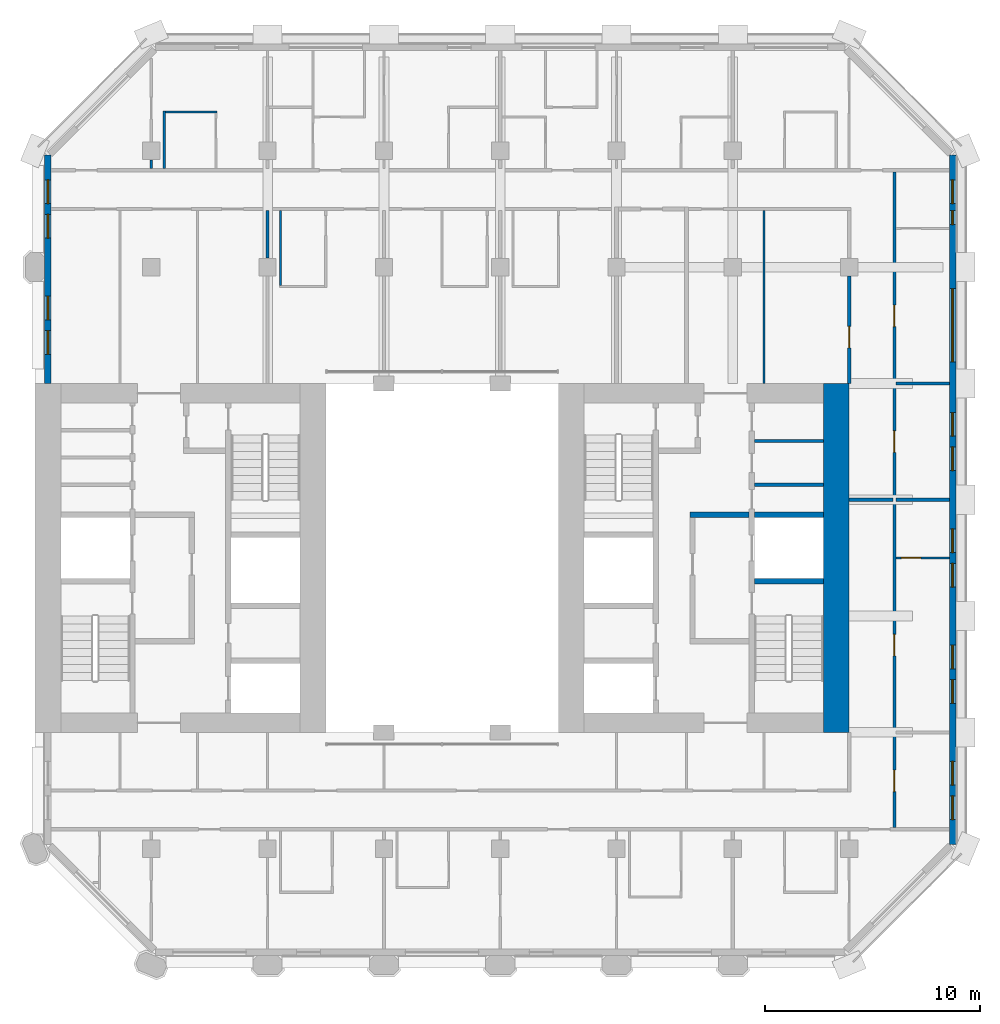
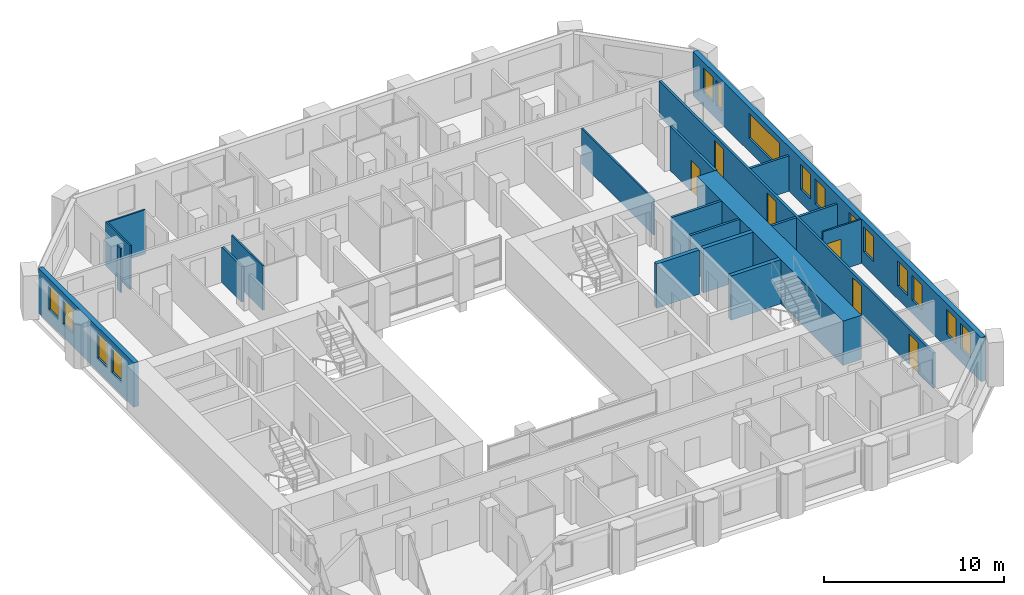
# One storey, part 7 of 13: 20 walls, 15 windows, 6 doors, 21 openings.
"""IFC4 building model written with IfcOpenShell, lengths in metres."""

from ifc_helpers import new_model, si_unit, direction, frame, frame_2d, origin, place, context, subcontext, project, spatial, rectangle, extrude, material, layer, layer_set, type_object, element, fill, save


model = new_model("IFC4")

# Units and contexts
model_context = context("Model", 3, precision=1e-05, world=origin(), true_north=direction((0.0, 1.0)))
body_context = subcontext(model_context, "Body", "Model", "MODEL_VIEW")
ifc_project = project(units=[si_unit("LENGTHUNIT", "METRE"), si_unit("AREAUNIT", "SQUARE_METRE"), si_unit("VOLUMEUNIT", "CUBIC_METRE"), si_unit("PLANEANGLEUNIT", "RADIAN"), si_unit("MASSUNIT", "GRAM", prefix="KILO")], contexts=[model_context])

# Site, building, storey
site_placement = place(None, origin())
site = spatial("IfcSite", under=ifc_project, at=site_placement, CompositionType="ELEMENT")
building_placement = place(site_placement, origin())
building = spatial("IfcBuilding", under=site, at=building_placement, Name="Tabaq Tower and Sports Hall", CompositionType="ELEMENT")
storey_placement = place(building_placement, frame((0.0, 0.0, 200.5)))
storey = spatial("IfcBuildingStorey", under=building, at=storey_placement, Name="L49", CompositionType="ELEMENT", Elevation=200.5)

# Walls
ifc_material_1 = material(Name="Blockwork", Category="masonry")
ifc_layer_1 = layer(ifc_material_1, 0.14990234375)
ifc_layer_set_1 = layer_set([ifc_layer_1], Name="Core room partition 150 Blockwork")
wall_type_1 = type_object("IfcWallType", Name="Core room partition 150 Blockwork", PredefinedType="PARTITIONING", material=ifc_layer_set_1)
for number, where, z_axis, x_axis, name in (
    (1, (38.800048828125, 27.694091796875, 0.0), (0.0, 0.0, 1.0), (1.0, 0.0, 0.0), "Core room partition E L49"),
    (2, (38.800048828125, 29.72412109375, 0.0), (0.0, 0.0, 1.0), (1.0, 0.0, 0.0), "Core room partition E L49"),
):
    element("IfcWall", number, at=place(storey_placement, frame(where, z_axis=z_axis, x_axis=x_axis)), inside=storey, type_object=wall_type_1, Name=name, PredefinedType="PARTITIONING", context=body_context, shape_type="SweptSolid", body=[
        extrude(rectangle(XDim=3.199951171875, YDim=0.14990234375, at=frame_2d((1.60009765625, 0.0))), origin(), (0.0, 0.0, 1.0), 3.0),
    ])
ifc_material_2 = material(Name="Concrete C50/60", Category="concrete")
ifc_layer_2 = layer(ifc_material_2, 1.199951171875)
ifc_layer_set_2 = layer_set([ifc_layer_2], Name="Core wall 1200 Concrete C50/60")
wall_type_2 = type_object("IfcWallType", Name="Core wall 1200 Concrete C50/60", PredefinedType="SOLIDWALL", material=ifc_layer_set_2)
wall_1_placement = place(storey_placement, frame((42.60009765625, 32.39990234375, 0.0), z_axis=(0.0, 0.0, 1.0), x_axis=(0.0, -1.0, 0.0)))
element("IfcWall", 3, at=wall_1_placement, inside=storey, type_object=wall_type_2, Name="Core wall E L49", PredefinedType="SOLIDWALL", context=body_context, shape_type="SweptSolid", body=[
    extrude(rectangle(XDim=16.199951171875, YDim=1.199951171875, at=frame_2d((8.10009765625, 0.0))), origin(), (0.0, 0.0, 1.0), 3.0),
])
ifc_material_3 = material(Name="Gypsum board on steel studs", Category="steel")
ifc_layer_3 = layer(ifc_material_3, 0.10009765625)
ifc_layer_set_3 = layer_set([ifc_layer_3], Name="Partition 100 Gypsum board")
wall_type_3 = type_object("IfcWallType", Name="Partition 100 Gypsum board", PredefinedType="PARTITIONING", material=ifc_layer_set_3)
wall_2_placement = place(storey_placement, frame((16.800048828125, 36.949951171875, 0.0), z_axis=(0.0, 0.0, 1.0), x_axis=(0.0, 1.0, 0.0)))
element("IfcWall", 4, at=wall_2_placement, inside=storey, type_object=wall_type_3, Name="Partition wall L49", PredefinedType="PARTITIONING", context=body_context, shape_type="SweptSolid", body=[
    extrude(rectangle(XDim=3.47509765625, YDim=0.10009765625, at=frame_2d((1.737548828125, 0.0))), origin(), (0.0, 0.0, 1.0), 3.0),
])
wall_3_placement = place(storey_placement, frame((10.800048828125, 42.780029296875, 0.0), z_axis=(0.0, 0.0, 1.0), x_axis=(0.0, -1.0, 0.0)))
element("IfcWall", 5, at=wall_3_placement, inside=storey, type_object=wall_type_3, Name="Partition wall L49", PredefinedType="PARTITIONING", context=body_context, shape_type="SweptSolid", body=[
    extrude(rectangle(XDim=0.405029296875, YDim=0.10009765625, at=frame_2d((0.20263671875, 0.0))), origin(), (0.0, 0.0, 1.0), 3.0),
])
wall_4_placement = place(storey_placement, frame((11.39990234375, 42.375, 0.0), z_axis=(0.0, 0.0, 1.0), x_axis=(0.0, 1.0, 0.0)))
element("IfcWall", 6, at=wall_4_placement, inside=storey, type_object=wall_type_3, Name="Partition wall L49", PredefinedType="PARTITIONING", context=body_context, shape_type="SweptSolid", body=[
    extrude(rectangle(XDim=2.675048828125, YDim=0.10009765625, at=frame_2d((1.33740234375, 0.0))), origin(), (0.0, 0.0, 1.0), 3.0),
])
wall_5_placement = place(storey_placement, frame((11.449951171875, 45.0, 0.0), z_axis=(0.0, 0.0, 1.0), x_axis=(1.0, 0.0, 0.0)))
element("IfcWall", 7, at=wall_5_placement, inside=storey, type_object=wall_type_3, Name="Partition wall L49", PredefinedType="PARTITIONING", context=body_context, shape_type="SweptSolid", body=[
    extrude(rectangle(XDim=2.400146484375, YDim=0.10009765625, at=frame_2d((1.2001953125, 0.0))), origin(), (0.0, 0.0, 1.0), 3.0),
])
wall_6_placement = place(storey_placement, frame((39.25, 32.39990234375, 0.0), z_axis=(0.0, 0.0, 1.0), x_axis=(0.0, 1.0, 0.0)))
element("IfcWall", 8, at=wall_6_placement, inside=storey, type_object=wall_type_3, Name="Partition wall L49", PredefinedType="PARTITIONING", context=body_context, shape_type="SweptSolid", body=[
    extrude(rectangle(XDim=8.025146484375, YDim=0.10009765625, at=frame_2d((4.0126953125, 0.0))), origin(), (0.0, 0.0, 1.0), 2.39990234375),
])

# Wall, opening, door
wall_7_placement = place(storey_placement, frame((47.84912109375, 24.300048828125, 0.0), z_axis=(0.0, 0.0, 1.0), x_axis=(-1.0, 0.0, 0.0)))
wall_7 = element("IfcWall", 9, at=wall_7_placement, inside=storey, type_object=wall_type_3, Name="Partition wall L49", PredefinedType="PARTITIONING", context=body_context, shape_type="SweptSolid", body=[
    extrude(rectangle(XDim=2.47412109375, YDim=0.10009765625, at=frame_2d((1.237060546875, 0.0))), origin(), (0.0, 0.0, 1.0), 3.0),
])
opening_1_placement = place(wall_7_placement, frame((1.323974609375, 0.0, 0.0)))
opening_1 = element("IfcOpeningElement", 10, at=opening_1_placement, cuts=wall_7, Name="Opening L49-026", PredefinedType="OPENING", context=body_context, shape_type="SweptSolid", body=[
    extrude(rectangle(XDim=0.89990234375, YDim=2.10009765625, at=frame_2d((0.449951171875, 1.050048828125))), frame((0.0, 0.050048828125, 0.0), z_axis=(0.0, -1.0, 0.0), x_axis=(1.0, 0.0, 0.0)), (0.0, 0.0, 1.0), 0.10009765625),
])
ifc_material_4 = material(Name="Timber leaf in steel frame", Category="steel")
door_type_1 = type_object("IfcDoorType", Name="Internal door 900 left hand", OperationType="SINGLE_SWING_LEFT", PredefinedType="DOOR", material=ifc_material_4)
door_1_placement = place(opening_1_placement, origin())
door_1 = element("IfcDoor", 11, at=door_1_placement, inside=storey, type_object=door_type_1, Name="Internal door L49-026", OperationType="SINGLE_SWING_LEFT", OverallHeight=2.10009765625, OverallWidth=0.89990234375, PredefinedType="DOOR", context=body_context, shape_type="SweptSolid", body=[
    extrude(rectangle(XDim=0.89990234375, YDim=2.10009765625, at=frame_2d((0.449951171875, 1.050048828125))), frame((0.0, 0.02490234375, 0.0), z_axis=(0.0, -1.0, 0.0), x_axis=(1.0, 0.0, 0.0)), (0.0, 0.0, 1.0), 0.050048828125),
])
fill(opening_1, door_1)

# Walls
ifc_material_5 = material(Name="Blockwork", Category="masonry")
ifc_layer_4 = layer(ifc_material_5, 0.14990234375)
ifc_layer_set_4 = layer_set([ifc_layer_4], Name="Separating wall 150 Blockwork")
wall_type_4 = type_object("IfcWallType", Name="Separating wall 150 Blockwork", PredefinedType="PARTITIONING", material=ifc_layer_set_4)
wall_8_placement = place(storey_placement, frame((16.199951171875, 40.425048828125, 0.0), z_axis=(0.0, 0.0, 1.0), x_axis=(0.0, -1.0, 0.0)))
element("IfcWall", 12, at=wall_8_placement, inside=storey, type_object=wall_type_4, Name="Separating wall L49", PredefinedType="PARTITIONING", context=body_context, shape_type="SweptSolid", body=[
    extrude(rectangle(XDim=2.205078125, YDim=0.14990234375, at=frame_2d((1.1025390625, 0.0))), origin(), (0.0, 0.0, 1.0), 2.39990234375),
])
for number, where, z_axis, x_axis, name in (
    (13, (45.375, 32.39990234375, 0.0), (0.0, 0.0, 1.0), (1.0, 0.0, 0.0), "Separating wall L49"),
    (14, (45.375, 27.0, 0.0), (0.0, 0.0, 1.0), (1.0, 0.0, 0.0), "Separating wall L49"),
):
    element("IfcWall", number, at=place(storey_placement, frame(where, z_axis=z_axis, x_axis=x_axis)), inside=storey, type_object=wall_type_4, Name=name, PredefinedType="PARTITIONING", context=body_context, shape_type="SweptSolid", body=[
        extrude(rectangle(XDim=2.47412109375, YDim=0.14990234375, at=frame_2d((1.237060546875, 0.0))), origin(), (0.0, 0.0, 1.0), 2.39990234375),
    ])
wall_9_placement = place(storey_placement, frame((43.199951171875, 27.0, 0.0), z_axis=(0.0, 0.0, 1.0), x_axis=(1.0, 0.0, 0.0)))
element("IfcWall", 15, at=wall_9_placement, inside=storey, type_object=wall_type_4, Name="Separating wall L49", PredefinedType="PARTITIONING", context=body_context, shape_type="SweptSolid", body=[
    extrude(rectangle(XDim=2.025146484375, YDim=0.14990234375, at=frame_2d((1.0126953125, 0.0))), origin(), (0.0, 0.0, 1.0), 2.39990234375),
])

# Wall, opening, door
wall_10_placement = place(storey_placement, frame((43.199951171875, 37.3798828125, 0.0), z_axis=(0.0, 0.0, 1.0), x_axis=(0.0, -1.0, 0.0)))
wall_10 = element("IfcWall", 16, at=wall_10_placement, inside=storey, type_object=wall_type_4, Name="Separating wall L49", PredefinedType="PARTITIONING", context=body_context, shape_type="SweptSolid", body=[
    extrude(rectangle(XDim=4.97998046875, YDim=0.14990234375, at=frame_2d((2.489990234375, 0.0))), origin(), (0.0, 0.0, 1.0), 3.0),
])
opening_2_placement = place(wall_10_placement, frame((2.325927734375, 0.0, 0.0)))
opening_2 = element("IfcOpeningElement", 17, at=opening_2_placement, cuts=wall_10, Name="Opening L49-016", PredefinedType="OPENING", context=body_context, shape_type="SweptSolid", body=[
    extrude(rectangle(XDim=1.0, YDim=2.10009765625, at=frame_2d((0.5, 1.050048828125))), frame((0.0, 0.074951171875, 0.0), z_axis=(0.0, -1.0, 0.0), x_axis=(1.0, 0.0, 0.0)), (0.0, 0.0, 1.0), 0.14990234375),
])
ifc_material_6 = material(Name="Timber leaf in steel frame", Category="steel")
door_type_2 = type_object("IfcDoorType", Name="Internal door 1000 right hand", OperationType="SINGLE_SWING_RIGHT", PredefinedType="DOOR", material=ifc_material_6)
door_2_placement = place(opening_2_placement, origin())
door_2 = element("IfcDoor", 18, at=door_2_placement, inside=storey, type_object=door_type_2, Name="Internal door L49-016", OperationType="SINGLE_SWING_RIGHT", OverallHeight=2.10009765625, OverallWidth=1.0, PredefinedType="DOOR", context=body_context, shape_type="SweptSolid", body=[
    extrude(rectangle(XDim=1.0, YDim=2.10009765625, at=frame_2d((0.5, 1.050048828125))), frame((0.0, 0.02490234375, 0.0), z_axis=(0.0, -1.0, 0.0), x_axis=(1.0, 0.0, 0.0)), (0.0, 0.0, 1.0), 0.050048828125),
])
fill(opening_2, door_2)

# Wall, openings, doors
wall_11_placement = place(storey_placement, frame((45.300048828125, 42.22509765625, 0.0), z_axis=(0.0, 0.0, 1.0), x_axis=(0.0, -1.0, 0.0)))
wall_11 = element("IfcWall", 19, at=wall_11_placement, inside=storey, type_object=wall_type_4, Name="Separating wall L49", PredefinedType="PARTITIONING", context=body_context, shape_type="SweptSolid", body=[
    extrude(rectangle(XDim=30.4501953125, YDim=0.14990234375, at=frame_2d((15.22509765625, 0.0))), origin(), (0.0, 0.0, 1.0), 2.39990234375),
])
opening_3_placement = place(wall_11_placement, frame((12.02490234375, 0.0, 0.0)))
opening_3 = element("IfcOpeningElement", 20, at=opening_3_placement, cuts=wall_11, Name="Opening L49-013", PredefinedType="OPENING", context=body_context, shape_type="SweptSolid", body=[
    extrude(rectangle(XDim=1.0, YDim=2.10009765625, at=frame_2d((0.5, 1.050048828125))), frame((0.0, 0.074951171875, 0.0), z_axis=(0.0, -1.0, 0.0), x_axis=(1.0, 0.0, 0.0)), (0.0, 0.0, 1.0), 0.14990234375),
])
opening_4_placement = place(wall_11_placement, frame((27.77490234375, 0.0, 0.0)))
opening_4 = element("IfcOpeningElement", 21, at=opening_4_placement, cuts=wall_11, Name="Opening L49-018", PredefinedType="OPENING", context=body_context, shape_type="SweptSolid", body=[
    extrude(rectangle(XDim=1.0, YDim=2.10009765625, at=frame_2d((0.5, 1.050048828125))), frame((0.0, 0.074951171875, 0.0), z_axis=(0.0, -1.0, 0.0), x_axis=(1.0, 0.0, 0.0)), (0.0, 0.0, 1.0), 0.14990234375),
])
opening_5_placement = place(wall_11_placement, frame((6.19189453125, 0.0, 0.0)))
opening_5 = element("IfcOpeningElement", 22, at=opening_5_placement, cuts=wall_11, Name="Opening L49-034", PredefinedType="OPENING", context=body_context, shape_type="SweptSolid", body=[
    extrude(rectangle(XDim=1.0, YDim=2.10009765625, at=frame_2d((0.5, 1.050048828125))), frame((0.0, 0.074951171875, 0.0), z_axis=(0.0, -1.0, 0.0), x_axis=(1.0, 0.0, 0.0)), (0.0, 0.0, 1.0), 0.14990234375),
])
opening_6_placement = place(wall_11_placement, frame((21.47509765625, 0.0, 0.0)))
opening_6 = element("IfcOpeningElement", 23, at=opening_6_placement, cuts=wall_11, Name="Opening L49-049", PredefinedType="OPENING", context=body_context, shape_type="SweptSolid", body=[
    extrude(rectangle(XDim=1.0, YDim=2.10009765625, at=frame_2d((0.5, 1.050048828125))), frame((0.0, 0.074951171875, 0.0), z_axis=(0.0, -1.0, 0.0), x_axis=(1.0, 0.0, 0.0)), (0.0, 0.0, 1.0), 0.14990234375),
])
ifc_material_7 = material(Name="Steel fire door", Category="steel")
door_type_3 = type_object("IfcDoorType", Name="Entrance door 1000 right hand", OperationType="SINGLE_SWING_RIGHT", PredefinedType="DOOR", material=ifc_material_7)
door_3_placement = place(opening_5_placement, origin())
door_3 = element("IfcDoor", 24, at=door_3_placement, inside=storey, type_object=door_type_3, Name="Entrance door L49-034", OperationType="SINGLE_SWING_RIGHT", OverallHeight=2.10009765625, OverallWidth=1.0, PredefinedType="DOOR", context=body_context, shape_type="SweptSolid", body=[
    extrude(rectangle(XDim=1.0, YDim=2.10009765625, at=frame_2d((0.5, 1.050048828125))), frame((0.0, 0.02490234375, 0.0), z_axis=(0.0, -1.0, 0.0), x_axis=(1.0, 0.0, 0.0)), (0.0, 0.0, 1.0), 0.050048828125),
])
fill(opening_5, door_3)
door_4_placement = place(opening_6_placement, origin())
door_4 = element("IfcDoor", 25, at=door_4_placement, inside=storey, type_object=door_type_3, Name="Entrance door L49-049", OperationType="SINGLE_SWING_RIGHT", OverallHeight=2.10009765625, OverallWidth=1.0, PredefinedType="DOOR", context=body_context, shape_type="SweptSolid", body=[
    extrude(rectangle(XDim=1.0, YDim=2.10009765625, at=frame_2d((0.5, 1.050048828125))), frame((0.0, 0.02490234375, 0.0), z_axis=(0.0, -1.0, 0.0), x_axis=(1.0, 0.0, 0.0)), (0.0, 0.0, 1.0), 0.050048828125),
])
fill(opening_6, door_4)
ifc_material_8 = material(Name="Timber leaf in steel frame", Category="steel")
door_type_4 = type_object("IfcDoorType", Name="Internal door 1000 left hand", OperationType="SINGLE_SWING_LEFT", PredefinedType="DOOR", material=ifc_material_8)
door_5_placement = place(opening_4_placement, origin())
door_5 = element("IfcDoor", 26, at=door_5_placement, inside=storey, type_object=door_type_4, Name="Internal door L49-018", OperationType="SINGLE_SWING_LEFT", OverallHeight=2.10009765625, OverallWidth=1.0, PredefinedType="DOOR", context=body_context, shape_type="SweptSolid", body=[
    extrude(rectangle(XDim=1.0, YDim=2.10009765625, at=frame_2d((0.5, 1.050048828125))), frame((0.0, 0.02490234375, 0.0), z_axis=(0.0, -1.0, 0.0), x_axis=(1.0, 0.0, 0.0)), (0.0, 0.0, 1.0), 0.050048828125),
])
fill(opening_4, door_5)
door_6_placement = place(opening_3_placement, origin())
door_6 = element("IfcDoor", 27, at=door_6_placement, inside=storey, type_object=door_type_2, Name="Internal door L49-013", OperationType="SINGLE_SWING_RIGHT", OverallHeight=2.10009765625, OverallWidth=1.0, PredefinedType="DOOR", context=body_context, shape_type="SweptSolid", body=[
    extrude(rectangle(XDim=1.0, YDim=2.10009765625, at=frame_2d((0.5, 1.050048828125))), frame((0.0, 0.02490234375, 0.0), z_axis=(0.0, -1.0, 0.0), x_axis=(1.0, 0.0, 0.0)), (0.0, 0.0, 1.0), 0.050048828125),
])
fill(opening_3, door_6)

# Walls
ifc_material_9 = material(Name="Concrete C40/50", Category="concrete")
ifc_layer_5 = layer(ifc_material_9, 0.25)
ifc_layer_set_5 = layer_set([ifc_layer_5], Name="Shaft and stair wall 250 Concrete C40/50")
wall_type_5 = type_object("IfcWallType", Name="Shaft and stair wall 250 Concrete C40/50", PredefinedType="SOLIDWALL", material=ifc_layer_set_5)
for number, where, z_axis, x_axis, name in (
    (28, (38.800048828125, 23.22509765625, 0.0), (0.0, 0.0, 1.0), (1.0, 0.0, 0.0), "Stair enclosure wall E L49"),
    (29, (38.800048828125, 26.300048828125, 0.0), (0.0, 0.0, 1.0), (1.0, 0.0, 0.0), "Shaft wall E L49"),
):
    element("IfcWall", number, at=place(storey_placement, frame(where, z_axis=z_axis, x_axis=x_axis)), inside=storey, type_object=wall_type_5, Name=name, PredefinedType="SOLIDWALL", context=body_context, shape_type="SweptSolid", body=[
        extrude(rectangle(XDim=3.199951171875, YDim=0.25, at=frame_2d((1.60009765625, 0.0))), origin(), (0.0, 0.0, 1.0), 3.0),
    ])
wall_12_placement = place(storey_placement, frame((35.800048828125, 26.300048828125, 0.0), z_axis=(0.0, 0.0, 1.0), x_axis=(1.0, 0.0, 0.0)))
element("IfcWall", 30, at=wall_12_placement, inside=storey, type_object=wall_type_5, Name="Fire-fighting lobby wall E L49", PredefinedType="SOLIDWALL", context=body_context, shape_type="SweptSolid", body=[
    extrude(rectangle(XDim=2.75, YDim=0.25, at=frame_2d((1.375, 0.0))), origin(), (0.0, 0.0, 1.0), 3.0),
])

# Wall, openings, windows
ifc_material_10 = material(Name="White precast concrete C60/75", Category="concrete")
ifc_layer_6 = layer(ifc_material_10, 0.300048828125)
ifc_layer_set_6 = layer_set([ifc_layer_6], Name="White precast concrete C60/75 external wall 300")
wall_type_6 = type_object("IfcWallType", Name="White precast concrete C60/75 external wall 300", PredefinedType="SOLIDWALL", material=ifc_layer_set_6)
wall_13_placement = place(storey_placement, frame((48.0, 10.986328125, 0.0), z_axis=(0.0, 0.0, 1.0), x_axis=(0.0, 1.0, 0.0)))
wall_13 = element("IfcWall", 31, at=wall_13_placement, inside=storey, type_object=wall_type_6, Name="External Wall L49 E", PredefinedType="SOLIDWALL", context=body_context, shape_type="SweptSolid", body=[
    extrude(rectangle(XDim=32.02734375, YDim=0.300048828125, at=frame_2d((16.013671875, 0.0))), origin(), (0.0, 0.0, 1.0), 3.0),
])
opening_7_placement = place(wall_13_placement, frame((1.16357421875, 0.0, 0.89990234375)))
opening_7 = element("IfcOpeningElement", 32, at=opening_7_placement, cuts=wall_13, Name="Opening W1B", PredefinedType="OPENING", context=body_context, shape_type="SweptSolid", body=[
    extrude(rectangle(XDim=1.10009765625, YDim=1.699951171875, at=frame_2d((0.550048828125, 0.85009765625))), frame((0.0, 0.16015625, 0.0), z_axis=(0.0, -1.0, 0.0), x_axis=(1.0, 0.0, 0.0)), (0.0, 0.0, 1.0), 0.320068359375),
])
opening_8_placement = place(wall_13_placement, frame((2.763671875, 0.0, 0.89990234375)))
opening_8 = element("IfcOpeningElement", 33, at=opening_8_placement, cuts=wall_13, Name="Opening W1B", PredefinedType="OPENING", context=body_context, shape_type="SweptSolid", body=[
    extrude(rectangle(XDim=1.10009765625, YDim=1.699951171875, at=frame_2d((0.550048828125, 0.85009765625))), frame((0.0, 0.16015625, 0.0), z_axis=(0.0, -1.0, 0.0), x_axis=(1.0, 0.0, 0.0)), (0.0, 0.0, 1.0), 0.320068359375),
])
opening_9_placement = place(wall_13_placement, frame((6.563720703125, 0.0, 0.89990234375)))
opening_9 = element("IfcOpeningElement", 34, at=opening_9_placement, cuts=wall_13, Name="Opening W1B", PredefinedType="OPENING", context=body_context, shape_type="SweptSolid", body=[
    extrude(rectangle(XDim=1.10009765625, YDim=1.699951171875, at=frame_2d((0.550048828125, 0.85009765625))), frame((0.0, 0.16015625, 0.0), z_axis=(0.0, -1.0, 0.0), x_axis=(1.0, 0.0, 0.0)), (0.0, 0.0, 1.0), 0.320068359375),
])
opening_10_placement = place(wall_13_placement, frame((8.16357421875, 0.0, 0.89990234375)))
opening_10 = element("IfcOpeningElement", 35, at=opening_10_placement, cuts=wall_13, Name="Opening W1B", PredefinedType="OPENING", context=body_context, shape_type="SweptSolid", body=[
    extrude(rectangle(XDim=1.10009765625, YDim=1.699951171875, at=frame_2d((0.550048828125, 0.85009765625))), frame((0.0, 0.16015625, 0.0), z_axis=(0.0, -1.0, 0.0), x_axis=(1.0, 0.0, 0.0)), (0.0, 0.0, 1.0), 0.320068359375),
])
opening_11_placement = place(wall_13_placement, frame((11.963623046875, 0.0, 0.89990234375)))
opening_11 = element("IfcOpeningElement", 36, at=opening_11_placement, cuts=wall_13, Name="Opening W1B", PredefinedType="OPENING", context=body_context, shape_type="SweptSolid", body=[
    extrude(rectangle(XDim=1.10009765625, YDim=1.699951171875, at=frame_2d((0.550048828125, 0.85009765625))), frame((0.0, 0.16015625, 0.0), z_axis=(0.0, -1.0, 0.0), x_axis=(1.0, 0.0, 0.0)), (0.0, 0.0, 1.0), 0.320068359375),
])
opening_12_placement = place(wall_13_placement, frame((13.563720703125, 0.0, 0.89990234375)))
opening_12 = element("IfcOpeningElement", 37, at=opening_12_placement, cuts=wall_13, Name="Opening W1B", PredefinedType="OPENING", context=body_context, shape_type="SweptSolid", body=[
    extrude(rectangle(XDim=1.10009765625, YDim=1.699951171875, at=frame_2d((0.550048828125, 0.85009765625))), frame((0.0, 0.16015625, 0.0), z_axis=(0.0, -1.0, 0.0), x_axis=(1.0, 0.0, 0.0)), (0.0, 0.0, 1.0), 0.320068359375),
])
opening_13_placement = place(wall_13_placement, frame((17.363525390625, 0.0, 0.89990234375)))
opening_13 = element("IfcOpeningElement", 38, at=opening_13_placement, cuts=wall_13, Name="Opening W1B", PredefinedType="OPENING", context=body_context, shape_type="SweptSolid", body=[
    extrude(rectangle(XDim=1.10009765625, YDim=1.699951171875, at=frame_2d((0.550048828125, 0.85009765625))), frame((0.0, 0.16015625, 0.0), z_axis=(0.0, -1.0, 0.0), x_axis=(1.0, 0.0, 0.0)), (0.0, 0.0, 1.0), 0.320068359375),
])
opening_14_placement = place(wall_13_placement, frame((18.963623046875, 0.0, 0.89990234375)))
opening_14 = element("IfcOpeningElement", 39, at=opening_14_placement, cuts=wall_13, Name="Opening W1B", PredefinedType="OPENING", context=body_context, shape_type="SweptSolid", body=[
    extrude(rectangle(XDim=1.10009765625, YDim=1.699951171875, at=frame_2d((0.550048828125, 0.85009765625))), frame((0.0, 0.16015625, 0.0), z_axis=(0.0, -1.0, 0.0), x_axis=(1.0, 0.0, 0.0)), (0.0, 0.0, 1.0), 0.320068359375),
])
opening_15_placement = place(wall_13_placement, frame((22.41357421875, 0.0, 0.89990234375)))
opening_15 = element("IfcOpeningElement", 40, at=opening_15_placement, cuts=wall_13, Name="Opening W1A", PredefinedType="OPENING", context=body_context, shape_type="SweptSolid", body=[
    extrude(rectangle(XDim=3.39990234375, YDim=1.699951171875, at=frame_2d((1.699951171875, 0.85009765625))), frame((0.0, 0.16015625, 0.0), z_axis=(0.0, -1.0, 0.0), x_axis=(1.0, 0.0, 0.0)), (0.0, 0.0, 1.0), 0.320068359375),
])
opening_16_placement = place(wall_13_placement, frame((28.78857421875, 0.0, 0.89990234375)))
opening_16 = element("IfcOpeningElement", 41, at=opening_16_placement, cuts=wall_13, Name="Opening W1C", PredefinedType="OPENING", context=body_context, shape_type="SweptSolid", body=[
    extrude(rectangle(XDim=0.64990234375, YDim=1.699951171875, at=frame_2d((0.324951171875, 0.85009765625))), frame((0.0, 0.16015625, 0.0), z_axis=(0.0, -1.0, 0.0), x_axis=(1.0, 0.0, 0.0)), (0.0, 0.0, 1.0), 0.320068359375),
])
opening_17_placement = place(wall_13_placement, frame((29.763671875, 0.0, 0.89990234375)))
opening_17 = element("IfcOpeningElement", 42, at=opening_17_placement, cuts=wall_13, Name="Opening W1B", PredefinedType="OPENING", context=body_context, shape_type="SweptSolid", body=[
    extrude(rectangle(XDim=1.10009765625, YDim=1.699951171875, at=frame_2d((0.550048828125, 0.85009765625))), frame((0.0, 0.16015625, 0.0), z_axis=(0.0, -1.0, 0.0), x_axis=(1.0, 0.0, 0.0)), (0.0, 0.0, 1.0), 0.320068359375),
])
ifc_material_11 = material(Name="Aluminium framed clear glazing", Category="aluminium")
window_type_1 = type_object("IfcWindowType", Name="Window W1A", PartitioningType="SINGLE_PANEL", PredefinedType="WINDOW", material=ifc_material_11)
window_1_placement = place(opening_15_placement, origin())
window_1 = element("IfcWindow", 43, at=window_1_placement, inside=storey, type_object=window_type_1, Name="Window W1A L49", OverallHeight=1.699951171875, OverallWidth=3.39990234375, PartitioningType="SINGLE_PANEL", PredefinedType="WINDOW", context=body_context, shape_type="SweptSolid", body=[
    extrude(rectangle(XDim=3.39990234375, YDim=1.699951171875, at=frame_2d((1.699951171875, 0.85009765625))), frame((0.0, 0.030029296875, 0.0), z_axis=(0.0, -1.0, 0.0), x_axis=(1.0, 0.0, 0.0)), (0.0, 0.0, 1.0), 0.06005859375),
])
fill(opening_15, window_1)
ifc_material_12 = material(Name="Aluminium framed clear glazing", Category="aluminium")
window_type_2 = type_object("IfcWindowType", Name="Window W1B", PartitioningType="SINGLE_PANEL", PredefinedType="WINDOW", material=ifc_material_12)
window_2_placement = place(opening_7_placement, origin())
window_2 = element("IfcWindow", 44, at=window_2_placement, inside=storey, type_object=window_type_2, Name="Window W1B L49", OverallHeight=1.699951171875, OverallWidth=1.10009765625, PartitioningType="SINGLE_PANEL", PredefinedType="WINDOW", context=body_context, shape_type="SweptSolid", body=[
    extrude(rectangle(XDim=1.10009765625, YDim=1.699951171875, at=frame_2d((0.550048828125, 0.85009765625))), frame((0.0, 0.030029296875, 0.0), z_axis=(0.0, -1.0, 0.0), x_axis=(1.0, 0.0, 0.0)), (0.0, 0.0, 1.0), 0.06005859375),
])
fill(opening_7, window_2)
window_3_placement = place(opening_8_placement, origin())
window_3 = element("IfcWindow", 45, at=window_3_placement, inside=storey, type_object=window_type_2, Name="Window W1B L49", OverallHeight=1.699951171875, OverallWidth=1.10009765625, PartitioningType="SINGLE_PANEL", PredefinedType="WINDOW", context=body_context, shape_type="SweptSolid", body=[
    extrude(rectangle(XDim=1.10009765625, YDim=1.699951171875, at=frame_2d((0.550048828125, 0.85009765625))), frame((0.0, 0.030029296875, 0.0), z_axis=(0.0, -1.0, 0.0), x_axis=(1.0, 0.0, 0.0)), (0.0, 0.0, 1.0), 0.06005859375),
])
fill(opening_8, window_3)
window_4_placement = place(opening_9_placement, origin())
window_4 = element("IfcWindow", 46, at=window_4_placement, inside=storey, type_object=window_type_2, Name="Window W1B L49", OverallHeight=1.699951171875, OverallWidth=1.10009765625, PartitioningType="SINGLE_PANEL", PredefinedType="WINDOW", context=body_context, shape_type="SweptSolid", body=[
    extrude(rectangle(XDim=1.10009765625, YDim=1.699951171875, at=frame_2d((0.550048828125, 0.85009765625))), frame((0.0, 0.030029296875, 0.0), z_axis=(0.0, -1.0, 0.0), x_axis=(1.0, 0.0, 0.0)), (0.0, 0.0, 1.0), 0.06005859375),
])
fill(opening_9, window_4)
window_5_placement = place(opening_10_placement, origin())
window_5 = element("IfcWindow", 47, at=window_5_placement, inside=storey, type_object=window_type_2, Name="Window W1B L49", OverallHeight=1.699951171875, OverallWidth=1.10009765625, PartitioningType="SINGLE_PANEL", PredefinedType="WINDOW", context=body_context, shape_type="SweptSolid", body=[
    extrude(rectangle(XDim=1.10009765625, YDim=1.699951171875, at=frame_2d((0.550048828125, 0.85009765625))), frame((0.0, 0.030029296875, 0.0), z_axis=(0.0, -1.0, 0.0), x_axis=(1.0, 0.0, 0.0)), (0.0, 0.0, 1.0), 0.06005859375),
])
fill(opening_10, window_5)
window_6_placement = place(opening_11_placement, origin())
window_6 = element("IfcWindow", 48, at=window_6_placement, inside=storey, type_object=window_type_2, Name="Window W1B L49", OverallHeight=1.699951171875, OverallWidth=1.10009765625, PartitioningType="SINGLE_PANEL", PredefinedType="WINDOW", context=body_context, shape_type="SweptSolid", body=[
    extrude(rectangle(XDim=1.10009765625, YDim=1.699951171875, at=frame_2d((0.550048828125, 0.85009765625))), frame((0.0, 0.030029296875, 0.0), z_axis=(0.0, -1.0, 0.0), x_axis=(1.0, 0.0, 0.0)), (0.0, 0.0, 1.0), 0.06005859375),
])
fill(opening_11, window_6)
window_7_placement = place(opening_12_placement, origin())
window_7 = element("IfcWindow", 49, at=window_7_placement, inside=storey, type_object=window_type_2, Name="Window W1B L49", OverallHeight=1.699951171875, OverallWidth=1.10009765625, PartitioningType="SINGLE_PANEL", PredefinedType="WINDOW", context=body_context, shape_type="SweptSolid", body=[
    extrude(rectangle(XDim=1.10009765625, YDim=1.699951171875, at=frame_2d((0.550048828125, 0.85009765625))), frame((0.0, 0.030029296875, 0.0), z_axis=(0.0, -1.0, 0.0), x_axis=(1.0, 0.0, 0.0)), (0.0, 0.0, 1.0), 0.06005859375),
])
fill(opening_12, window_7)
window_8_placement = place(opening_13_placement, origin())
window_8 = element("IfcWindow", 50, at=window_8_placement, inside=storey, type_object=window_type_2, Name="Window W1B L49", OverallHeight=1.699951171875, OverallWidth=1.10009765625, PartitioningType="SINGLE_PANEL", PredefinedType="WINDOW", context=body_context, shape_type="SweptSolid", body=[
    extrude(rectangle(XDim=1.10009765625, YDim=1.699951171875, at=frame_2d((0.550048828125, 0.85009765625))), frame((0.0, 0.030029296875, 0.0), z_axis=(0.0, -1.0, 0.0), x_axis=(1.0, 0.0, 0.0)), (0.0, 0.0, 1.0), 0.06005859375),
])
fill(opening_13, window_8)
window_9_placement = place(opening_14_placement, origin())
window_9 = element("IfcWindow", 51, at=window_9_placement, inside=storey, type_object=window_type_2, Name="Window W1B L49", OverallHeight=1.699951171875, OverallWidth=1.10009765625, PartitioningType="SINGLE_PANEL", PredefinedType="WINDOW", context=body_context, shape_type="SweptSolid", body=[
    extrude(rectangle(XDim=1.10009765625, YDim=1.699951171875, at=frame_2d((0.550048828125, 0.85009765625))), frame((0.0, 0.030029296875, 0.0), z_axis=(0.0, -1.0, 0.0), x_axis=(1.0, 0.0, 0.0)), (0.0, 0.0, 1.0), 0.06005859375),
])
fill(opening_14, window_9)
window_10_placement = place(opening_17_placement, origin())
window_10 = element("IfcWindow", 52, at=window_10_placement, inside=storey, type_object=window_type_2, Name="Window W1B L49", OverallHeight=1.699951171875, OverallWidth=1.10009765625, PartitioningType="SINGLE_PANEL", PredefinedType="WINDOW", context=body_context, shape_type="SweptSolid", body=[
    extrude(rectangle(XDim=1.10009765625, YDim=1.699951171875, at=frame_2d((0.550048828125, 0.85009765625))), frame((0.0, 0.030029296875, 0.0), z_axis=(0.0, -1.0, 0.0), x_axis=(1.0, 0.0, 0.0)), (0.0, 0.0, 1.0), 0.06005859375),
])
fill(opening_17, window_10)
ifc_material_13 = material(Name="Aluminium framed clear glazing", Category="aluminium")
window_type_3 = type_object("IfcWindowType", Name="Window W1C", PartitioningType="SINGLE_PANEL", PredefinedType="WINDOW", material=ifc_material_13)
window_11_placement = place(opening_16_placement, origin())
window_11 = element("IfcWindow", 53, at=window_11_placement, inside=storey, type_object=window_type_3, Name="Window W1C L49", OverallHeight=1.699951171875, OverallWidth=0.64990234375, PartitioningType="SINGLE_PANEL", PredefinedType="WINDOW", context=body_context, shape_type="SweptSolid", body=[
    extrude(rectangle(XDim=0.64990234375, YDim=1.699951171875, at=frame_2d((0.324951171875, 0.85009765625))), frame((0.0, 0.030029296875, 0.0), z_axis=(0.0, -1.0, 0.0), x_axis=(1.0, 0.0, 0.0)), (0.0, 0.0, 1.0), 0.06005859375),
])
fill(opening_16, window_11)

wall_14_placement = place(storey_placement, frame((6.0, 43.013671875, 0.0), z_axis=(0.0, 0.0, 1.0), x_axis=(0.0, -1.0, 0.0)))
wall_14 = element("IfcWall", 54, at=wall_14_placement, inside=storey, type_object=wall_type_6, Name="External Wall L49 W", PredefinedType="SOLIDWALL", context=body_context, shape_type="SweptSolid", body=[
    extrude(rectangle(XDim=10.61376953125, YDim=0.300048828125, at=frame_2d((5.306884765625, 0.0))), origin(), (0.0, 0.0, 1.0), 3.0),
])
opening_18_placement = place(wall_14_placement, frame((1.16357421875, 0.0, 0.89990234375)))
opening_18 = element("IfcOpeningElement", 55, at=opening_18_placement, cuts=wall_14, Name="Opening W1B", PredefinedType="OPENING", context=body_context, shape_type="SweptSolid", body=[
    extrude(rectangle(XDim=1.10009765625, YDim=1.699951171875, at=frame_2d((0.550048828125, 0.85009765625))), frame((0.0, 0.16015625, 0.0), z_axis=(0.0, -1.0, 0.0), x_axis=(1.0, 0.0, 0.0)), (0.0, 0.0, 1.0), 0.320068359375),
])
opening_19_placement = place(wall_14_placement, frame((2.763671875, 0.0, 0.89990234375)))
opening_19 = element("IfcOpeningElement", 56, at=opening_19_placement, cuts=wall_14, Name="Opening W1B", PredefinedType="OPENING", context=body_context, shape_type="SweptSolid", body=[
    extrude(rectangle(XDim=1.10009765625, YDim=1.699951171875, at=frame_2d((0.550048828125, 0.85009765625))), frame((0.0, 0.16015625, 0.0), z_axis=(0.0, -1.0, 0.0), x_axis=(1.0, 0.0, 0.0)), (0.0, 0.0, 1.0), 0.320068359375),
])
opening_20_placement = place(wall_14_placement, frame((6.563720703125, 0.0, 0.89990234375)))
opening_20 = element("IfcOpeningElement", 57, at=opening_20_placement, cuts=wall_14, Name="Opening W1B", PredefinedType="OPENING", context=body_context, shape_type="SweptSolid", body=[
    extrude(rectangle(XDim=1.10009765625, YDim=1.699951171875, at=frame_2d((0.550048828125, 0.85009765625))), frame((0.0, 0.16015625, 0.0), z_axis=(0.0, -1.0, 0.0), x_axis=(1.0, 0.0, 0.0)), (0.0, 0.0, 1.0), 0.320068359375),
])
opening_21_placement = place(wall_14_placement, frame((8.16357421875, 0.0, 0.89990234375)))
opening_21 = element("IfcOpeningElement", 58, at=opening_21_placement, cuts=wall_14, Name="Opening W1B", PredefinedType="OPENING", context=body_context, shape_type="SweptSolid", body=[
    extrude(rectangle(XDim=1.10009765625, YDim=1.699951171875, at=frame_2d((0.550048828125, 0.85009765625))), frame((0.0, 0.16015625, 0.0), z_axis=(0.0, -1.0, 0.0), x_axis=(1.0, 0.0, 0.0)), (0.0, 0.0, 1.0), 0.320068359375),
])
window_12_placement = place(opening_18_placement, origin())
window_12 = element("IfcWindow", 59, at=window_12_placement, inside=storey, type_object=window_type_2, Name="Window W1B L49", OverallHeight=1.699951171875, OverallWidth=1.10009765625, PartitioningType="SINGLE_PANEL", PredefinedType="WINDOW", context=body_context, shape_type="SweptSolid", body=[
    extrude(rectangle(XDim=1.10009765625, YDim=1.699951171875, at=frame_2d((0.550048828125, 0.85009765625))), frame((0.0, 0.030029296875, 0.0), z_axis=(0.0, -1.0, 0.0), x_axis=(1.0, 0.0, 0.0)), (0.0, 0.0, 1.0), 0.06005859375),
])
fill(opening_18, window_12)
window_13_placement = place(opening_19_placement, origin())
window_13 = element("IfcWindow", 60, at=window_13_placement, inside=storey, type_object=window_type_2, Name="Window W1B L49", OverallHeight=1.699951171875, OverallWidth=1.10009765625, PartitioningType="SINGLE_PANEL", PredefinedType="WINDOW", context=body_context, shape_type="SweptSolid", body=[
    extrude(rectangle(XDim=1.10009765625, YDim=1.699951171875, at=frame_2d((0.550048828125, 0.85009765625))), frame((0.0, 0.030029296875, 0.0), z_axis=(0.0, -1.0, 0.0), x_axis=(1.0, 0.0, 0.0)), (0.0, 0.0, 1.0), 0.06005859375),
])
fill(opening_19, window_13)
window_14_placement = place(opening_20_placement, origin())
window_14 = element("IfcWindow", 61, at=window_14_placement, inside=storey, type_object=window_type_2, Name="Window W1B L49", OverallHeight=1.699951171875, OverallWidth=1.10009765625, PartitioningType="SINGLE_PANEL", PredefinedType="WINDOW", context=body_context, shape_type="SweptSolid", body=[
    extrude(rectangle(XDim=1.10009765625, YDim=1.699951171875, at=frame_2d((0.550048828125, 0.85009765625))), frame((0.0, 0.030029296875, 0.0), z_axis=(0.0, -1.0, 0.0), x_axis=(1.0, 0.0, 0.0)), (0.0, 0.0, 1.0), 0.06005859375),
])
fill(opening_20, window_14)
window_15_placement = place(opening_21_placement, origin())
window_15 = element("IfcWindow", 62, at=window_15_placement, inside=storey, type_object=window_type_2, Name="Window W1B L49", OverallHeight=1.699951171875, OverallWidth=1.10009765625, PartitioningType="SINGLE_PANEL", PredefinedType="WINDOW", context=body_context, shape_type="SweptSolid", body=[
    extrude(rectangle(XDim=1.10009765625, YDim=1.699951171875, at=frame_2d((0.550048828125, 0.85009765625))), frame((0.0, 0.030029296875, 0.0), z_axis=(0.0, -1.0, 0.0), x_axis=(1.0, 0.0, 0.0)), (0.0, 0.0, 1.0), 0.06005859375),
])
fill(opening_21, window_15)

save(model, "model.ifc")
